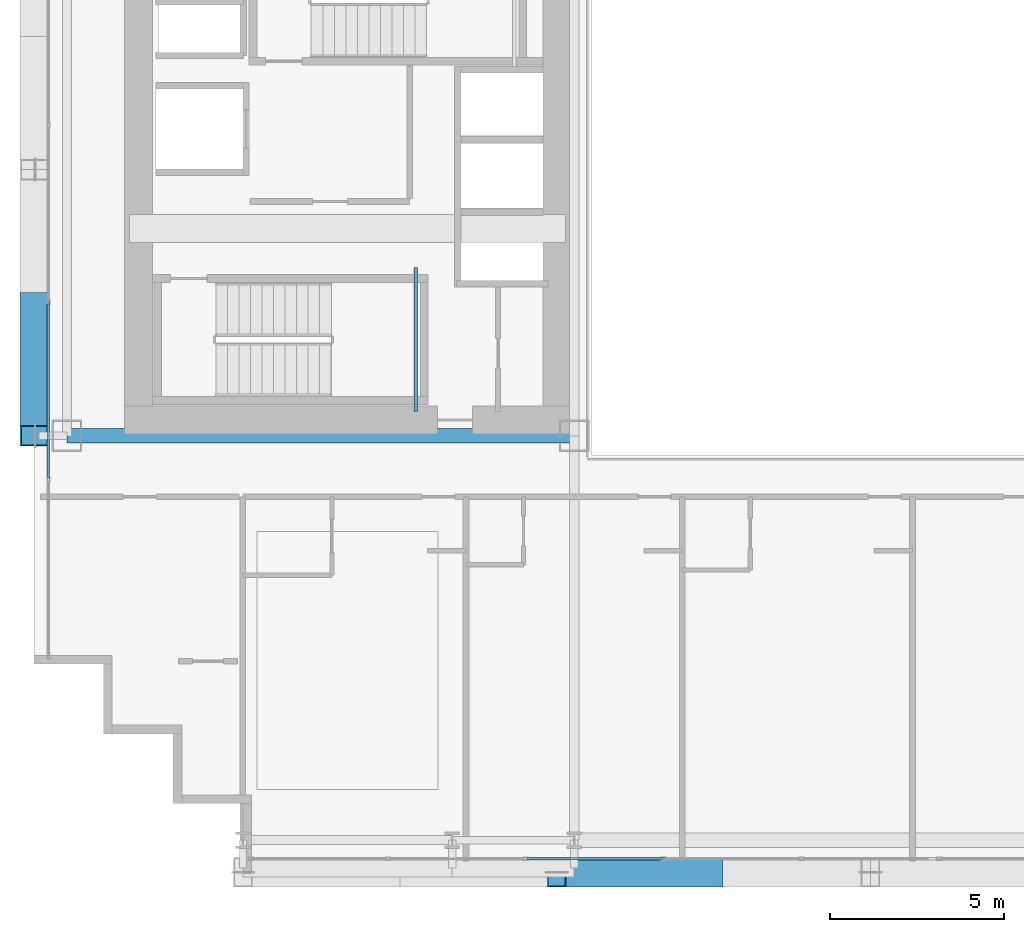
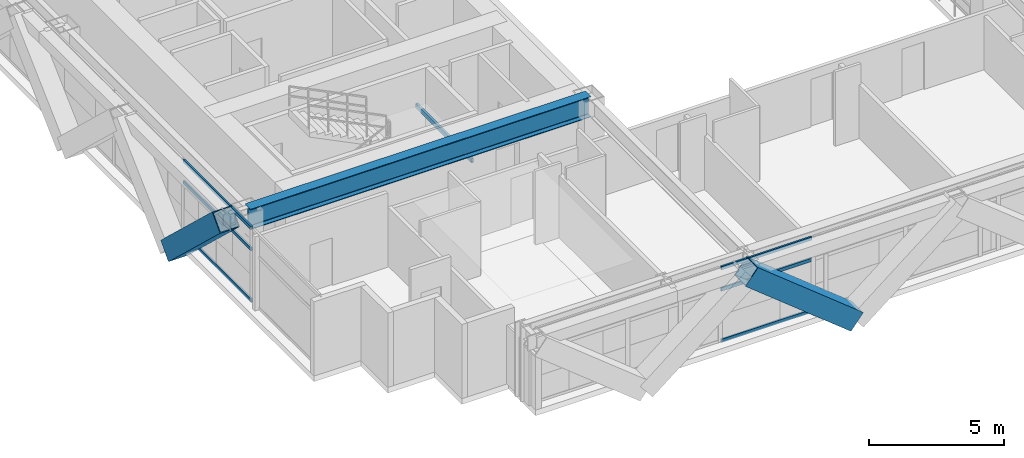
# One storey, part 4 of 38: 8 members, 2 beams, 2 elements without a shape of their own.
"""IFC4 building model written with IfcOpenShell, lengths in metres."""

from ifc_helpers import new_model, si_unit, direction, frame, origin, origin_2d, place, context, subcontext, project, spatial, hollow_rectangle, i_section, extrude, source, transform, mapped, material, layer, layer_set, material_profile, profile_set, type_object, element, aggregate, save


model = new_model("IFC4")

# Units and contexts
model_context = context("Model", 3, precision=1e-05, world=origin(), true_north=direction((0.0, 1.0)))
body_context = subcontext(model_context, "Body", "Model", "MODEL_VIEW")
ifc_project = project(units=[si_unit("LENGTHUNIT", "METRE"), si_unit("AREAUNIT", "SQUARE_METRE"), si_unit("VOLUMEUNIT", "CUBIC_METRE"), si_unit("PLANEANGLEUNIT", "RADIAN"), si_unit("MASSUNIT", "GRAM", prefix="KILO")], contexts=[model_context])

# Site, building, storey
site_placement = place(None, origin())
site = spatial("IfcSite", under=ifc_project, at=site_placement, CompositionType="ELEMENT")
building_placement = place(site_placement, origin())
building = spatial("IfcBuilding", under=site, at=building_placement, Name="Ocotamira Hotel", CompositionType="ELEMENT")
storey_placement = place(building_placement, frame((0.0, 0.0, 45.60009765625)))
storey = spatial("IfcBuildingStorey", under=building, at=storey_placement, Name="L10", CompositionType="ELEMENT", Elevation=45.60009765625)

# Beams
ifc_material_1 = material(Name="Steel ASTM A500 Grade C", Category="steel")
ifc_material_profile_1 = material_profile(ifc_material_1, hollow_rectangle(XDim=0.10009765625, YDim=0.199951171875, WallThickness=0.008056640625, at=origin_2d()), Name="HSS200X100X8")
ifc_profile_set_1 = profile_set([ifc_material_profile_1], Name="Steel ASTM A500 Grade C")
beam_type_1 = type_object("IfcBeamType", Name="BM-STLDG-HSS200", PredefinedType="BEAM", material=ifc_profile_set_1)
shared_shape_1 = source(origin(), body_context, "Body", "SweptSolid", [
    extrude(hollow_rectangle(XDim=0.10009765625, YDim=0.199951171875, WallThickness=0.008056640625, at=origin_2d()), origin(), (0.0, 0.0, 1.0), 4.1201171875),
])
beam_1_placement = place(storey_placement, frame((18.949951171875, 15.25, 1.5), z_axis=(0.0, 1.0, 0.0), x_axis=(-1.0, 0.0, 0.0)))
element("IfcBeam", 1, at=beam_1_placement, inside=storey, type_object=beam_type_1, Name="L10 Stair ST-1 Landing Bearer 1", PredefinedType="BEAM", context=body_context, shape_type="MappedRepresentation", body=[
    mapped(shared_shape_1, transform((0.0, 0.0, 0.0), scale=1.0)),
])
ifc_material_2 = material(Name="Steel ASTM A992 Grade 50", Category="steel")
ifc_material_profile_2 = material_profile(ifc_material_2, i_section(OverallWidth=0.41796875, OverallDepth=0.927001953125, WebThickness=0.019287109375, FlangeThickness=0.031982421875, FilletRadius=0.02392578125, at=origin_2d()), Name="W36X231")
ifc_profile_set_2 = profile_set([ifc_material_profile_2], Name="Steel ASTM A992 Grade 50")
beam_type_2 = type_object("IfcBeamType", Name="BM-GIRD-W36X231", PredefinedType="BEAM", material=ifc_profile_set_2)
shared_shape_2 = source(origin(), body_context, "Body", "SweptSolid", [
    extrude(i_section(OverallWidth=0.41796875, OverallDepth=0.927001953125, WebThickness=0.019287109375, FlangeThickness=0.031982421875, FilletRadius=0.02392578125, at=origin_2d()), origin(), (0.0, 0.0, 1.0), 14.550048828125),
])
beam_2_placement = place(storey_placement, frame((8.949951171875, 14.550048828125, 2.886474609375), z_axis=(1.0, 0.0, 0.0), x_axis=(0.0, 1.0, 0.0)))
element("IfcBeam", 2, at=beam_2_placement, inside=storey, type_object=beam_type_2, Name="L10 Girder Y14.55 X8.95-23.5", PredefinedType="BEAM", context=body_context, shape_type="MappedRepresentation", body=[
    mapped(shared_shape_2, transform((0.0, 0.0, 0.0), scale=1.0)),
])

# Members
ifc_material_3 = material(Name="Pale-metal coated steel ASTM A913 Grade 65", Category="steel")
ifc_material_profile_3 = material_profile(ifc_material_3, hollow_rectangle(XDim=0.85009765625, YDim=0.85009765625, WallThickness=0.035888671875, at=origin_2d()), Name="BOX850X850X36")
ifc_profile_set_3 = profile_set([ifc_material_profile_3], Name="Pale-metal coated steel ASTM A913 Grade 65")
member_type_1 = type_object("IfcMemberType", Name="MEM-EXO-BOX850", PredefinedType="BRACE", material=ifc_profile_set_3)
shared_shape_3 = source(origin(), body_context, "Body", "SweptSolid", [
    extrude(hollow_rectangle(XDim=0.85009765625, YDim=0.85009765625, WallThickness=0.035888671875, at=origin_2d()), origin(), (0.0, 0.0, 1.0), 5.7626953125),
])
member_1_placement = place(storey_placement, frame((27.5, 2.030029296875, -0.5), z_axis=(-0.780881208953, 0.0, 0.624679547852), x_axis=(0.0, -1.0, 0.0)))
element("IfcMember", 3, at=member_1_placement, inside=storey, type_object=member_type_1, Name="L10 Exoskeleton Diagrid S1.1", PredefinedType="BRACE", context=body_context, shape_type="MappedRepresentation", body=[
    mapped(shared_shape_3, transform((0.0, 0.0, 0.0), scale=1.0)),
])
shared_shape_4 = source(origin(), body_context, "Body", "SweptSolid", [
    extrude(hollow_rectangle(XDim=0.85009765625, YDim=0.85009765625, WallThickness=0.035888671875, at=origin_2d()), origin(), (0.0, 0.0, 1.0), 5.24658203125),
])
member_2_placement = place(storey_placement, frame((8.030029296875, 18.36669921875, -0.5), z_axis=(0.0, -0.72746596067, 0.686143772154), x_axis=(1.0, 0.0, 0.0)))
element("IfcMember", 4, at=member_2_placement, inside=storey, type_object=member_type_1, Name="L10 Exoskeleton Diagrid W0.1", PredefinedType="BRACE", context=body_context, shape_type="MappedRepresentation", body=[
    mapped(shared_shape_4, transform((0.0, 0.0, 0.0), scale=1.0)),
])

# Curtain wall, members
ifc_material_4 = material(Name="Anodised pale-metal aluminium and solar glass", Category="aluminium")
ifc_layer = layer(ifc_material_4, 0.179931640625)
ifc_layer_set = layer_set([ifc_layer], Name="Anodised pale-metal aluminium and solar glass")
curtain_wall_type = type_object("IfcCurtainWallType", Name="CW-SYS2-Z1", PredefinedType="NOTDEFINED", material=ifc_layer_set)
curtain_wall_1_placement = place(storey_placement, origin())
curtain_wall_1 = element("IfcCurtainWall", 5, at=curtain_wall_1_placement, inside=storey, type_object=curtain_wall_type, Name="L10 Curtain Wall CW-2 CW-L10-S1", PredefinedType="NOTDEFINED")
ifc_material_5 = material(Name="Anodised pale-metal aluminium 6063-T6", Category="aluminium")
ifc_material_profile_4 = material_profile(ifc_material_5, hollow_rectangle(XDim=0.074951171875, YDim=0.14990234375, WallThickness=0.006103515625, at=origin_2d()), Name="HSS150X75X6")
ifc_profile_set_4 = profile_set([ifc_material_profile_4], Name="Anodised pale-metal aluminium 6063-T6")
member_type_2 = type_object("IfcMemberType", Name="CWT-150X75", PredefinedType="USERDEFINED", material=ifc_profile_set_4)
shared_shape_5 = source(origin(), body_context, "Body", "SweptSolid", [
    extrude(hollow_rectangle(XDim=0.074951171875, YDim=0.14990234375, WallThickness=0.006103515625, at=origin_2d()), origin(), (0.0, 0.0, 1.0), 3.87548828125),
])
member_3_placement = place(storey_placement, frame((22.151123046875, 2.419921875, 0.037353515625), z_axis=(1.0, 0.0, 0.0), x_axis=(0.0, 1.0, 0.0)))
member_3 = element("IfcMember", 6, at=member_3_placement, type_object=member_type_2, Name="CW-2 transom 3.1", ObjectType="TRANSOM", PredefinedType="USERDEFINED", context=body_context, shape_type="MappedRepresentation", body=[
    mapped(shared_shape_5, transform((0.0, 0.0, 0.0), scale=1.0)),
])
member_4_placement = place(storey_placement, frame((22.151123046875, 2.419921875, 2.349853515625), z_axis=(1.0, 0.0, 0.0), x_axis=(0.0, 1.0, 0.0)))
member_4 = element("IfcMember", 7, at=member_4_placement, type_object=member_type_2, Name="CW-2 transom 3.2", ObjectType="TRANSOM", PredefinedType="USERDEFINED", context=body_context, shape_type="MappedRepresentation", body=[
    mapped(shared_shape_5, transform((0.0, 0.0, 0.0), scale=1.0)),
])
member_5_placement = place(storey_placement, frame((22.151123046875, 2.419921875, 3.3125), z_axis=(1.0, 0.0, 0.0), x_axis=(0.0, 1.0, 0.0)))
member_5 = element("IfcMember", 8, at=member_5_placement, type_object=member_type_2, Name="CW-2 transom 3.3", ObjectType="TRANSOM", PredefinedType="USERDEFINED", context=body_context, shape_type="MappedRepresentation", body=[
    mapped(shared_shape_5, transform((0.0, 0.0, 0.0), scale=1.0)),
])
aggregate(curtain_wall_1, [member_3, member_4, member_5])

curtain_wall_2_placement = place(storey_placement, origin())
curtain_wall_2 = element("IfcCurtainWall", 9, at=curtain_wall_2_placement, inside=storey, type_object=curtain_wall_type, Name="L10 Curtain Wall CW-2 CW-L10-W", PredefinedType="NOTDEFINED")
shared_shape_6 = source(origin(), body_context, "Body", "SweptSolid", [
    extrude(hollow_rectangle(XDim=0.074951171875, YDim=0.14990234375, WallThickness=0.006103515625, at=origin_2d()), origin(), (0.0, 0.0, 1.0), 5.005859375),
])
member_6_placement = place(storey_placement, frame((8.419921875, 13.32568359375, 0.037353515625), z_axis=(0.0, 1.0, 0.0), x_axis=(-1.0, 0.0, 0.0)))
member_6 = element("IfcMember", 10, at=member_6_placement, type_object=member_type_2, Name="CW-2 transom 2.1", ObjectType="TRANSOM", PredefinedType="USERDEFINED", context=body_context, shape_type="MappedRepresentation", body=[
    mapped(shared_shape_6, transform((0.0, 0.0, 0.0), scale=1.0)),
])
member_7_placement = place(storey_placement, frame((8.419921875, 13.32568359375, 2.349853515625), z_axis=(0.0, 1.0, 0.0), x_axis=(-1.0, 0.0, 0.0)))
member_7 = element("IfcMember", 11, at=member_7_placement, type_object=member_type_2, Name="CW-2 transom 2.2", ObjectType="TRANSOM", PredefinedType="USERDEFINED", context=body_context, shape_type="MappedRepresentation", body=[
    mapped(shared_shape_6, transform((0.0, 0.0, 0.0), scale=1.0)),
])
member_8_placement = place(storey_placement, frame((8.419921875, 13.32568359375, 3.3125), z_axis=(0.0, 1.0, 0.0), x_axis=(-1.0, 0.0, 0.0)))
member_8 = element("IfcMember", 12, at=member_8_placement, type_object=member_type_2, Name="CW-2 transom 2.3", ObjectType="TRANSOM", PredefinedType="USERDEFINED", context=body_context, shape_type="MappedRepresentation", body=[
    mapped(shared_shape_6, transform((0.0, 0.0, 0.0), scale=1.0)),
])
aggregate(curtain_wall_2, [member_6, member_7, member_8])

save(model, "model.ifc")
